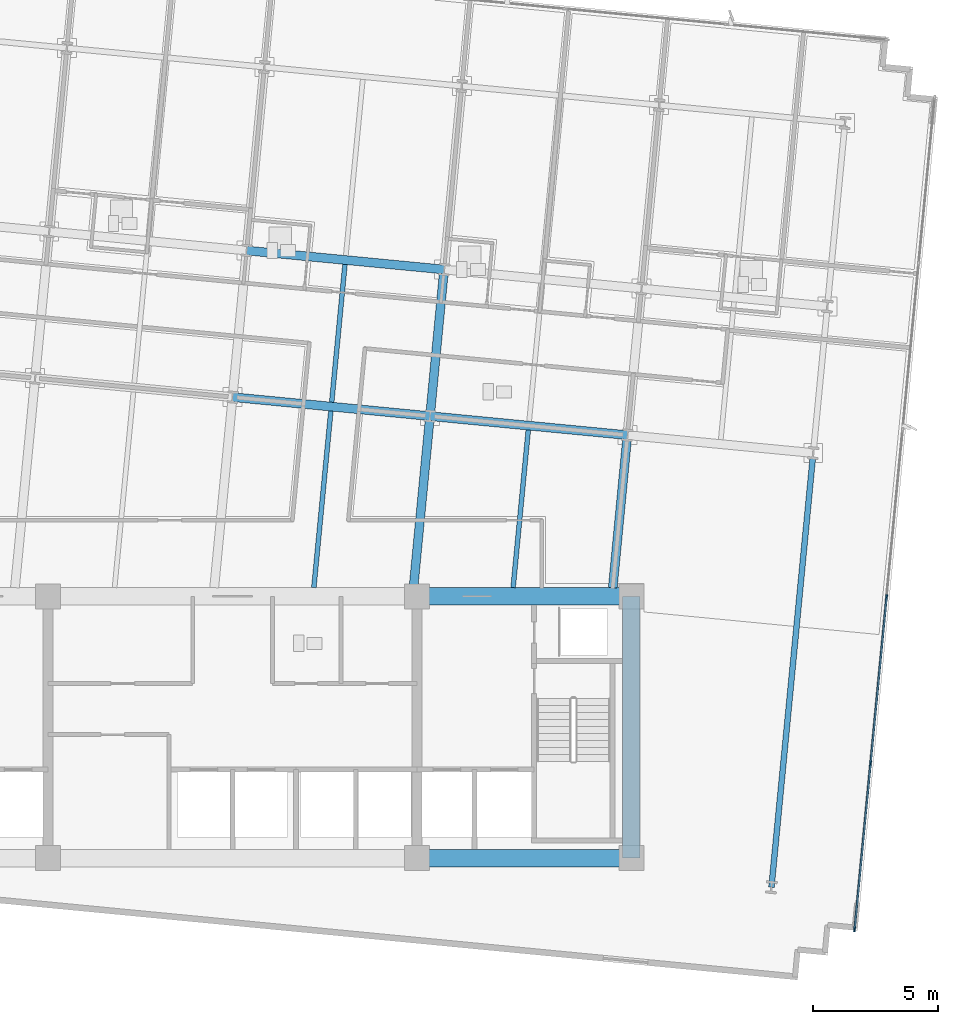
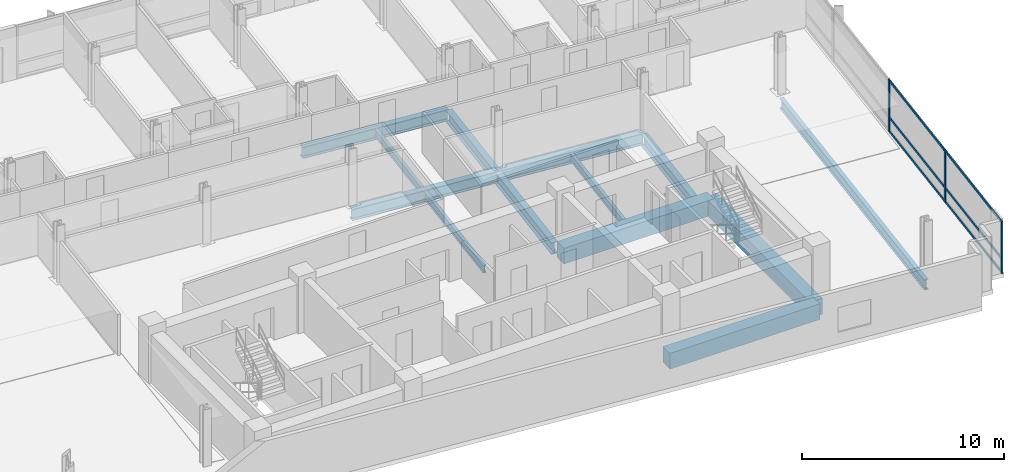
# One storey, part 5 of 17: 13 beams, 9 members, 1 element without a shape of its own.
"""IFC4 building model written with IfcOpenShell, lengths in metres."""

from ifc_helpers import new_model, si_unit, direction, frame, origin, origin_2d, place, context, subcontext, project, spatial, rectangle, i_section, extrude, material, material_profile, profile_set, type_object, element, aggregate, save


model = new_model("IFC4")

# Units and contexts
model_context = context("Model", 3, precision=1e-05, world=origin(), true_north=direction((0.0, 1.0)))
body_context = subcontext(model_context, "Body", "Model", "MODEL_VIEW")
ifc_project = project(units=[si_unit("LENGTHUNIT", "METRE"), si_unit("AREAUNIT", "SQUARE_METRE"), si_unit("VOLUMEUNIT", "CUBIC_METRE"), si_unit("PLANEANGLEUNIT", "RADIAN"), si_unit("MASSUNIT", "GRAM", prefix="KILO")], contexts=[model_context])

# Site, building, storey
site_placement = place(None, origin())
site = spatial("IfcSite", under=ifc_project, at=site_placement, CompositionType="ELEMENT")
building_placement = place(site_placement, origin())
building = spatial("IfcBuilding", under=site, at=building_placement, Name="Solmavex Isthmus Hotel", CompositionType="ELEMENT")
storey_placement = place(building_placement, frame((0.0, 0.0, 142.800048828125)))
storey = spatial("IfcBuildingStorey", under=building, at=storey_placement, Name="L38", CompositionType="ELEMENT", Elevation=142.800048828125)

# Beams
ifc_material_1 = material(Name="Steel ASTM A992 Grade 50", Category="steel")
ifc_material_profile_1 = material_profile(ifc_material_1, i_section(OverallWidth=0.354736328125, OverallDepth=0.695556640625, WebThickness=0.015380859375, FlangeThickness=0.02490234375, FilletRadius=0.017822265625, at=origin_2d()), Name="W27X146")
ifc_profile_set_1 = profile_set([ifc_material_profile_1], Name="Steel ASTM A992 Grade 50")
beam_type_1 = type_object("IfcBeamType", Name="BM-BG-W27X146", PredefinedType="BEAM", material=ifc_profile_set_1)
for number, where, z_axis, x_axis, name in (
    (1, (0.001220703125, 5.490234375, -0.60791015625), (0.995397440011, -0.095832856685, 0.0), (0.095832856685, 0.995397440011, 0.0), "Floor Girder L38-UG06"),
    (2, (7.920654296875, 4.727783203125, -0.60791015625), (0.995397440011, -0.095832856685, 0.0), (0.095832856685, 0.995397440011, 0.0), "Floor Girder L38-UG07"),
):
    element("IfcBeam", number, at=place(storey_placement, frame(where, z_axis=z_axis, x_axis=x_axis)), inside=storey, type_object=beam_type_1, Name=name, PredefinedType="BEAM", context=body_context, shape_type="SweptSolid", body=[
        extrude(i_section(OverallWidth=0.354736328125, OverallDepth=0.695556640625, WebThickness=0.015380859375, FlangeThickness=0.02490234375, FilletRadius=0.017822265625, at=origin_2d()), origin(), (0.0, 0.0, 1.0), 7.9560546875),
    ])
beam_1_placement = place(storey_placement, frame((0.567626953125, 11.37109375, -0.60791015625), z_axis=(0.995397158178, -0.095835783981, 0.0), x_axis=(0.095835783981, 0.995397158178, 0.0)))
element("IfcBeam", 3, at=beam_1_placement, inside=storey, type_object=beam_type_1, Name="Floor Girder L38-UG12", PredefinedType="BEAM", context=body_context, shape_type="SweptSolid", body=[
    extrude(i_section(OverallWidth=0.354736328125, OverallDepth=0.695556640625, WebThickness=0.015380859375, FlangeThickness=0.02490234375, FilletRadius=0.017822265625, at=origin_2d()), origin(), (0.0, 0.0, 1.0), 7.955810546875),
])
beam_2_placement = place(storey_placement, frame((7.25830078125, -2.14990234375, -0.60791015625), z_axis=(0.095847843924, 0.995395996986, 0.0), x_axis=(-0.995395996986, 0.095847843924, 0.0)))
element("IfcBeam", 4, at=beam_2_placement, inside=storey, type_object=beam_type_1, Name="Floor Beam L38-VG33", PredefinedType="BEAM", context=body_context, shape_type="SweptSolid", body=[
    extrude(i_section(OverallWidth=0.354736328125, OverallDepth=0.695556640625, WebThickness=0.015380859375, FlangeThickness=0.02490234375, FilletRadius=0.017822265625, at=origin_2d()), origin(), (0.0, 0.0, 1.0), 6.732177734375),
])
beam_3_placement = place(storey_placement, frame((7.937744140625, 4.904296875, -0.60791015625), z_axis=(0.095842252862, 0.99539653534, 0.0), x_axis=(-0.99539653534, 0.095842252862, 0.0)))
element("IfcBeam", 5, at=beam_3_placement, inside=storey, type_object=beam_type_1, Name="Floor Beam L38-VG34", PredefinedType="BEAM", context=body_context, shape_type="SweptSolid", body=[
    extrude(i_section(OverallWidth=0.354736328125, OverallDepth=0.695556640625, WebThickness=0.015380859375, FlangeThickness=0.02490234375, FilletRadius=0.017822265625, at=origin_2d()), origin(), (0.0, 0.0, 1.0), 5.55322265625),
])
beam_4_placement = place(storey_placement, frame((15.251220703125, -2.14990234375, -0.60791015625), z_axis=(0.095840286514, 0.995396724669, 0.0), x_axis=(-0.995396724669, 0.095840286514, 0.0)))
element("IfcBeam", 6, at=beam_4_placement, inside=storey, type_object=beam_type_1, Name="Floor Beam L38-VG36", PredefinedType="BEAM", context=body_context, shape_type="SweptSolid", body=[
    extrude(i_section(OverallWidth=0.354736328125, OverallDepth=0.695556640625, WebThickness=0.015380859375, FlangeThickness=0.02490234375, FilletRadius=0.017822265625, at=origin_2d()), origin(), (0.0, 0.0, 1.0), 5.9658203125),
])
ifc_material_profile_2 = material_profile(ifc_material_1, i_section(OverallWidth=0.1904296875, OverallDepth=0.456787109375, WebThickness=0.009033203125, FlangeThickness=0.014404296875, FilletRadius=0.0126953125, at=origin_2d()), Name="W18X50")
ifc_profile_set_2 = profile_set([ifc_material_profile_2], Name="Steel ASTM A992 Grade 50")
beam_type_2 = type_object("IfcBeamType", Name="BM-BJ-W18X50", PredefinedType="JOIST", material=ifc_profile_set_2)
beam_5_placement = place(storey_placement, frame((3.261962890625, -2.14990234375, -0.488525390625), z_axis=(0.095837287001, 0.995397013468, 0.0), x_axis=(-0.995397013468, 0.095837287001, 0.0)))
element("IfcBeam", 7, at=beam_5_placement, inside=storey, type_object=beam_type_2, Name="Secondary Floor Joist L38-J10", PredefinedType="JOIST", context=body_context, shape_type="SweptSolid", body=[
    extrude(i_section(OverallWidth=0.1904296875, OverallDepth=0.456787109375, WebThickness=0.009033203125, FlangeThickness=0.014404296875, FilletRadius=0.0126953125, at=origin_2d()), origin(), (0.0, 0.0, 1.0), 7.114990234375),
])
beam_6_placement = place(storey_placement, frame((3.97802734375, 5.28564453125, -0.488525390625), z_axis=(0.095842252862, 0.99539653534, 0.0), x_axis=(-0.99539653534, 0.095842252862, 0.0)))
element("IfcBeam", 8, at=beam_6_placement, inside=storey, type_object=beam_type_2, Name="Secondary Floor Joist L38-J11", PredefinedType="JOIST", context=body_context, shape_type="SweptSolid", body=[
    extrude(i_section(OverallWidth=0.1904296875, OverallDepth=0.456787109375, WebThickness=0.009033203125, FlangeThickness=0.014404296875, FilletRadius=0.0126953125, at=origin_2d()), origin(), (0.0, 0.0, 1.0), 5.55322265625),
])
beam_7_placement = place(storey_placement, frame((11.2548828125, -2.14990234375, -0.488525390625), z_axis=(0.095825243261, 0.995398172971, 0.0), x_axis=(-0.995398172971, 0.095825243261, 0.0)))
element("IfcBeam", 9, at=beam_7_placement, inside=storey, type_object=beam_type_2, Name="Secondary Floor Joist L38-J13", PredefinedType="JOIST", context=body_context, shape_type="SweptSolid", body=[
    extrude(i_section(OverallWidth=0.1904296875, OverallDepth=0.456787109375, WebThickness=0.009033203125, FlangeThickness=0.014404296875, FilletRadius=0.0126953125, at=origin_2d()), origin(), (0.0, 0.0, 1.0), 6.34912109375),
])
ifc_material_2 = material(Name="Concrete C60/75", Category="concrete")
ifc_material_profile_3 = material_profile(ifc_material_2, rectangle(XDim=0.699951171875, YDim=0.949951171875, at=origin_2d()), Name="RC700X950")
ifc_profile_set_3 = profile_set([ifc_material_profile_3], Name="Concrete C60/75")
beam_type_3 = type_object("IfcBeamType", Name="BM-CB-700X950", PredefinedType="BEAM", material=ifc_profile_set_3)
for number, where, z_axis, x_axis, name in (
    (10, (7.39990234375, -13.0, -0.735107421875), (1.0, 0.0, 0.0), (0.0, 1.0, 0.0), "Core Coupling Beam L38-CB3"),
    (11, (7.39990234375, -2.5, -0.735107421875), (1.0, 0.0, 0.0), (0.0, 1.0, 0.0), "Core Coupling Beam L38-CB6"),
):
    element("IfcBeam", number, at=place(storey_placement, frame(where, z_axis=z_axis, x_axis=x_axis)), inside=storey, type_object=beam_type_3, Name=name, PredefinedType="BEAM", context=body_context, shape_type="SweptSolid", body=[
        extrude(rectangle(XDim=0.699951171875, YDim=0.949951171875, at=origin_2d()), origin(), (0.0, 0.0, 1.0), 8.60009765625),
    ])
beam_8_placement = place(storey_placement, frame((16.0, -13.0, -0.735107421875), z_axis=(0.0, 1.0, 0.0), x_axis=(-1.0, 0.0, 0.0)))
element("IfcBeam", 12, at=beam_8_placement, inside=storey, type_object=beam_type_3, Name="Core Coupling Beam L38-CB8", PredefinedType="BEAM", context=body_context, shape_type="SweptSolid", body=[
    extrude(rectangle(XDim=0.699951171875, YDim=0.949951171875, at=origin_2d()), origin(), (0.0, 0.0, 1.0), 10.5),
])
ifc_material_profile_4 = material_profile(ifc_material_1, i_section(OverallWidth=0.230224609375, OverallDepth=0.617431640625, WebThickness=0.01318359375, FlangeThickness=0.022216796875, FilletRadius=0.01513671875, at=origin_2d()), Name="W24X94")
ifc_profile_set_4 = profile_set([ifc_material_profile_4], Name="Steel ASTM A992 Grade 50")
beam_type_4 = type_object("IfcBeamType", Name="BM-SP-W24X94", PredefinedType="SPANDREL", material=ifc_profile_set_4)
beam_9_placement = place(storey_placement, frame((21.6162109375, -14.171875, -0.56884765625), z_axis=(0.095851245948, 0.995395669395, 0.0), x_axis=(-0.995395669395, 0.095851245948, 0.0)))
element("IfcBeam", 13, at=beam_9_placement, inside=storey, type_object=beam_type_4, Name="Floor Beam L38-VG39", PredefinedType="SPANDREL", context=body_context, shape_type="SweptSolid", body=[
    extrude(i_section(OverallWidth=0.230224609375, OverallDepth=0.617431640625, WebThickness=0.01318359375, FlangeThickness=0.022216796875, FilletRadius=0.01513671875, at=origin_2d()), origin(), (0.0, 0.0, 1.0), 17.32275390625),
])

# Curtain wall, members
ifc_material_3 = material(Name="Aluminium alloy 6063-T6", Category="aluminium")
curtain_wall_type = type_object("IfcCurtainWallType", Name="CW-SYS-03", PredefinedType="NOTDEFINED", material=ifc_material_3)
curtain_wall_placement = place(storey_placement, origin())
curtain_wall = element("IfcCurtainWall", 14, at=curtain_wall_placement, inside=storey, type_object=curtain_wall_type, Name="Stick Curtain Wall CWL-L38-E1", PredefinedType="NOTDEFINED")
ifc_material_profile_5 = material_profile(ifc_material_3, rectangle(XDim=0.070068359375, YDim=0.179931640625, at=origin_2d()), Name="CWM-70X180")
ifc_profile_set_5 = profile_set([ifc_material_profile_5], Name="Aluminium alloy 6063-T6")
member_type_1 = type_object("IfcMemberType", Name="CW-SYS-03-MUL", PredefinedType="MULLION", material=ifc_profile_set_5)
member_1_placement = place(storey_placement, frame((24.949462890625, -15.8642578125, 0.0), z_axis=(0.0, 0.0, 1.0), x_axis=(-0.995396190038, 0.09584583902, 0.0)))
member_1 = element("IfcMember", 15, at=member_1_placement, type_object=member_type_1, Name="CW-03 mullion 1", PredefinedType="MULLION", context=body_context, shape_type="SweptSolid", body=[
    extrude(rectangle(XDim=0.070068359375, YDim=0.179931640625, at=origin_2d()), origin(), (0.0, 0.0, 1.0), 3.18994140625),
])
member_2_placement = place(storey_placement, frame((25.590087890625, -9.2099609375, 0.0), z_axis=(0.0, 0.0, 1.0), x_axis=(-0.995396190038, 0.09584583902, 0.0)))
member_2 = element("IfcMember", 16, at=member_2_placement, type_object=member_type_1, Name="CW-03 mullion 2", PredefinedType="MULLION", context=body_context, shape_type="SweptSolid", body=[
    extrude(rectangle(XDim=0.070068359375, YDim=0.179931640625, at=origin_2d()), origin(), (0.0, 0.0, 1.0), 3.18994140625),
])
member_3_placement = place(storey_placement, frame((26.234130859375, -2.520751953125, 0.0), z_axis=(0.0, 0.0, 1.0), x_axis=(-0.995396190038, 0.09584583902, 0.0)))
member_3 = element("IfcMember", 17, at=member_3_placement, type_object=member_type_1, Name="CW-03 mullion 3", PredefinedType="MULLION", context=body_context, shape_type="SweptSolid", body=[
    extrude(rectangle(XDim=0.070068359375, YDim=0.179931640625, at=origin_2d()), origin(), (0.0, 0.0, 1.0), 3.18994140625),
])
ifc_material_profile_6 = material_profile(ifc_material_3, rectangle(XDim=0.070068359375, YDim=0.139892578125, at=origin_2d()), Name="CWT-70X140")
ifc_profile_set_6 = profile_set([ifc_material_profile_6], Name="Aluminium alloy 6063-T6")
member_type_2 = type_object("IfcMemberType", Name="CW-SYS-03-TRN", PredefinedType="USERDEFINED", material=ifc_profile_set_6)
member_4_placement = place(storey_placement, frame((24.95263671875, -15.829345703125, 0.070068359375), z_axis=(0.095848837806, 0.995395901283, 0.0), x_axis=(-0.995395901283, 0.095848837806, 0.0)))
member_4 = element("IfcMember", 18, at=member_4_placement, type_object=member_type_2, Name="CW-03 transom 1.1", ObjectType="TRANSOM", PredefinedType="USERDEFINED", context=body_context, shape_type="SweptSolid", body=[
    extrude(rectangle(XDim=0.070068359375, YDim=0.139892578125, at=origin_2d()), origin(), (0.0, 0.0, 1.0), 6.614990234375),
])
member_5_placement = place(storey_placement, frame((24.95263671875, -15.829345703125, 0.89990234375), z_axis=(0.095848837806, 0.995395901283, 0.0), x_axis=(-0.995395901283, 0.095848837806, 0.0)))
member_5 = element("IfcMember", 19, at=member_5_placement, type_object=member_type_2, Name="CW-03 transom 1.2", ObjectType="TRANSOM", PredefinedType="USERDEFINED", context=body_context, shape_type="SweptSolid", body=[
    extrude(rectangle(XDim=0.070068359375, YDim=0.139892578125, at=origin_2d()), origin(), (0.0, 0.0, 1.0), 6.614990234375),
])
member_6_placement = place(storey_placement, frame((24.95263671875, -15.829345703125, 3.119873046875), z_axis=(0.095848837806, 0.995395901283, 0.0), x_axis=(-0.995395901283, 0.095848837806, 0.0)))
member_6 = element("IfcMember", 20, at=member_6_placement, type_object=member_type_2, Name="CW-03 transom 1.3", ObjectType="TRANSOM", PredefinedType="USERDEFINED", context=body_context, shape_type="SweptSolid", body=[
    extrude(rectangle(XDim=0.070068359375, YDim=0.139892578125, at=origin_2d()), origin(), (0.0, 0.0, 1.0), 6.614990234375),
])
member_7_placement = place(storey_placement, frame((25.593505859375, -9.175048828125, 0.070068359375), z_axis=(0.095857212138, 0.995395094865, 0.0), x_axis=(-0.995395094865, 0.095857212138, 0.0)))
member_7 = element("IfcMember", 21, at=member_7_placement, type_object=member_type_2, Name="CW-03 transom 2.1", ObjectType="TRANSOM", PredefinedType="USERDEFINED", context=body_context, shape_type="SweptSolid", body=[
    extrude(rectangle(XDim=0.070068359375, YDim=0.139892578125, at=origin_2d()), origin(), (0.0, 0.0, 1.0), 6.64990234375),
])
member_8_placement = place(storey_placement, frame((25.593505859375, -9.175048828125, 0.89990234375), z_axis=(0.095857212138, 0.995395094865, 0.0), x_axis=(-0.995395094865, 0.095857212138, 0.0)))
member_8 = element("IfcMember", 22, at=member_8_placement, type_object=member_type_2, Name="CW-03 transom 2.2", ObjectType="TRANSOM", PredefinedType="USERDEFINED", context=body_context, shape_type="SweptSolid", body=[
    extrude(rectangle(XDim=0.070068359375, YDim=0.139892578125, at=origin_2d()), origin(), (0.0, 0.0, 1.0), 6.64990234375),
])
member_9_placement = place(storey_placement, frame((25.593505859375, -9.175048828125, 3.119873046875), z_axis=(0.095857212138, 0.995395094865, 0.0), x_axis=(-0.995395094865, 0.095857212138, 0.0)))
member_9 = element("IfcMember", 23, at=member_9_placement, type_object=member_type_2, Name="CW-03 transom 2.3", ObjectType="TRANSOM", PredefinedType="USERDEFINED", context=body_context, shape_type="SweptSolid", body=[
    extrude(rectangle(XDim=0.070068359375, YDim=0.139892578125, at=origin_2d()), origin(), (0.0, 0.0, 1.0), 6.64990234375),
])
aggregate(curtain_wall, [member_1, member_2, member_3, member_4, member_5, member_6, member_7, member_8, member_9])

save(model, "model.ifc")
